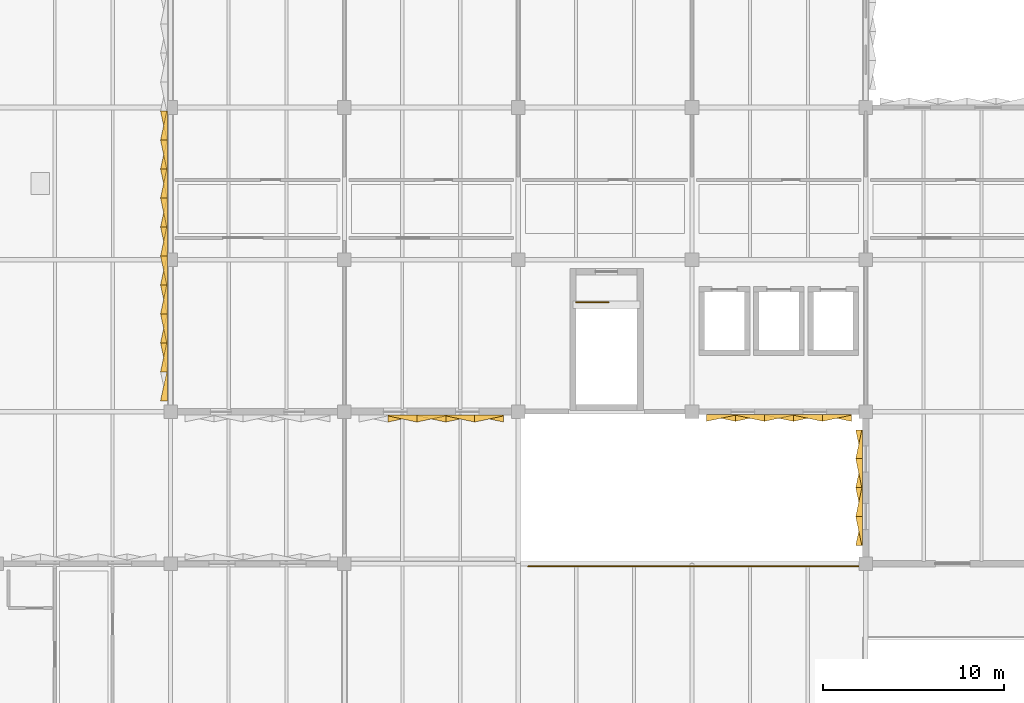
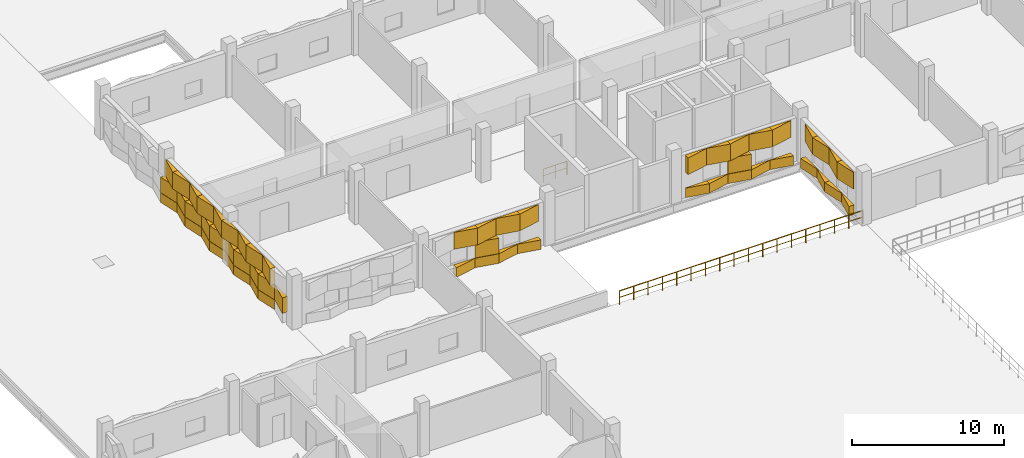
# One storey, part 73 of 86: 56 coverings, 2 railings.
"""IFC4 building model written with IfcOpenShell, lengths in metres."""

from ifc_helpers import new_model, si_unit, direction, frame, origin, origin_2d, place, context, subcontext, project, spatial, polyline, circle, outline, extrude, material, type_object, element, save


model = new_model("IFC4")

# Units and contexts
model_context = context("Model", 3, precision=1e-05, world=origin(), true_north=direction((0.0, 1.0)))
body_context = subcontext(model_context, "Body", "Model", "MODEL_VIEW")
ifc_project = project(units=[si_unit("LENGTHUNIT", "METRE"), si_unit("AREAUNIT", "SQUARE_METRE"), si_unit("VOLUMEUNIT", "CUBIC_METRE"), si_unit("PLANEANGLEUNIT", "RADIAN"), si_unit("MASSUNIT", "GRAM", prefix="KILO")], contexts=[model_context])

# Site, building, storey
site_placement = place(None, origin())
site = spatial("IfcSite", under=ifc_project, at=site_placement, CompositionType="ELEMENT")
building_placement = place(site_placement, origin())
building = spatial("IfcBuilding", under=site, at=building_placement, Name="Oolite Switchyard Hospital", CompositionType="ELEMENT")
storey_placement = place(building_placement, frame((0.0, 0.0, 13.5)))
storey = spatial("IfcBuildingStorey", under=building, at=storey_placement, Name="L03", CompositionType="ELEMENT", Elevation=13.5)

# Coverings
ifc_material_1 = material(Name="Precast oolitic limestone architectural concrete C40/50", Category="masonry")
covering_type = type_object("IfcCoveringType", Name="COV-CHEV-WARM", PredefinedType="CLADDING", material=ifc_material_1)
covering_1_placement = place(storey_placement, frame((37.60009765625, 92.2099609375, 0.050048828125), z_axis=(0.0, 0.0, 1.0), x_axis=(-1.0, 0.0, 0.0)))
element("IfcCovering", 1, at=covering_1_placement, inside=storey, type_object=covering_type, Name="L03 Chevron Precast Oolite Panel 111", PredefinedType="CLADDING", context=body_context, shape_type="SweptSolid", body=[
    extrude(outline(polyline([(0.0, 0.0), (1.60009765625, 0.0), (1.60009765625, 0.044921875), (0.0, 0.385009765625), (0.0, 0.0)])), origin(), (0.0, 0.0, 1.0), 0.760009765625),
])
covering_2_placement = place(storey_placement, frame((37.60009765625, 92.2099609375, 2.090087890625), z_axis=(0.0, 0.0, 1.0), x_axis=(-1.0, 0.0, 0.0)))
element("IfcCovering", 2, at=covering_2_placement, inside=storey, type_object=covering_type, Name="L03 Chevron Precast Oolite Panel 112", PredefinedType="CLADDING", context=body_context, shape_type="SweptSolid", body=[
    extrude(outline(polyline([(0.0, 0.0), (1.60009765625, 0.0), (1.60009765625, 0.385009765625), (0.0, 0.044921875), (0.0, 0.0)])), origin(), (0.0, 0.0, 1.0), 1.349853515625),
])
covering_3_placement = place(storey_placement, frame((36.0, 92.2099609375, 0.050048828125), z_axis=(0.0, 0.0, 1.0), x_axis=(-1.0, 0.0, 0.0)))
element("IfcCovering", 3, at=covering_3_placement, inside=storey, type_object=covering_type, Name="L03 Chevron Precast Oolite Panel 113", PredefinedType="CLADDING", context=body_context, shape_type="SweptSolid", body=[
    extrude(outline(polyline([(0.0, 0.0), (1.60009765625, 0.0), (1.60009765625, 0.385009765625), (0.0, 0.044921875), (0.0, 0.0)])), origin(), (0.0, 0.0, 1.0), 0.760009765625),
])
covering_4_placement = place(storey_placement, frame((36.0, 92.2099609375, 2.090087890625), z_axis=(0.0, 0.0, 1.0), x_axis=(-1.0, 0.0, 0.0)))
element("IfcCovering", 4, at=covering_4_placement, inside=storey, type_object=covering_type, Name="L03 Chevron Precast Oolite Panel 114", PredefinedType="CLADDING", context=body_context, shape_type="SweptSolid", body=[
    extrude(outline(polyline([(0.0, 0.0), (1.60009765625, 0.0), (1.60009765625, 0.044921875), (0.0, 0.385009765625), (0.0, 0.0)])), origin(), (0.0, 0.0, 1.0), 1.349853515625),
])
covering_5_placement = place(storey_placement, frame((34.39990234375, 92.2099609375, 0.050048828125), z_axis=(0.0, 0.0, 1.0), x_axis=(-1.0, 0.0, 0.0)))
element("IfcCovering", 5, at=covering_5_placement, inside=storey, type_object=covering_type, Name="L03 Chevron Precast Oolite Panel 115", PredefinedType="CLADDING", context=body_context, shape_type="SweptSolid", body=[
    extrude(outline(polyline([(0.0, 0.0), (1.599853515625, 0.0), (1.599853515625, 0.044921875), (0.0, 0.385009765625), (0.0, 0.0)])), origin(), (0.0, 0.0, 1.0), 0.760009765625),
])
covering_6_placement = place(storey_placement, frame((34.39990234375, 92.2099609375, 2.090087890625), z_axis=(0.0, 0.0, 1.0), x_axis=(-1.0, 0.0, 0.0)))
element("IfcCovering", 6, at=covering_6_placement, inside=storey, type_object=covering_type, Name="L03 Chevron Precast Oolite Panel 116", PredefinedType="CLADDING", context=body_context, shape_type="SweptSolid", body=[
    extrude(outline(polyline([(0.0, 0.0), (1.599853515625, 0.0), (1.599853515625, 0.385009765625), (0.0, 0.044921875), (0.0, 0.0)])), origin(), (0.0, 0.0, 1.0), 1.349853515625),
])
covering_7_placement = place(storey_placement, frame((34.39990234375, 92.2099609375, 0.830078125), z_axis=(0.0, 0.0, 1.0), x_axis=(-1.0, 0.0, 0.0)))
element("IfcCovering", 7, at=covering_7_placement, inside=storey, type_object=covering_type, Name="L03 Chevron Precast Oolite Panel 117", PredefinedType="CLADDING", context=body_context, shape_type="SweptSolid", body=[
    extrude(outline(polyline([(0.0, 0.0), (1.599853515625, 0.0), (1.599853515625, 0.044921875), (0.0, 0.385009765625), (0.0, 0.0)])), origin(), (0.0, 0.0, 1.0), 1.239990234375),
])
covering_8_placement = place(storey_placement, frame((32.800048828125, 92.2099609375, 0.050048828125), z_axis=(0.0, 0.0, 1.0), x_axis=(-1.0, 0.0, 0.0)))
element("IfcCovering", 8, at=covering_8_placement, inside=storey, type_object=covering_type, Name="L03 Chevron Precast Oolite Panel 118", PredefinedType="CLADDING", context=body_context, shape_type="SweptSolid", body=[
    extrude(outline(polyline([(0.0, 0.0), (1.60009765625, 0.0), (1.60009765625, 0.385009765625), (0.0, 0.044921875), (0.0, 0.0)])), origin(), (0.0, 0.0, 1.0), 0.760009765625),
])
covering_9_placement = place(storey_placement, frame((32.800048828125, 92.2099609375, 2.090087890625), z_axis=(0.0, 0.0, 1.0), x_axis=(-1.0, 0.0, 0.0)))
element("IfcCovering", 9, at=covering_9_placement, inside=storey, type_object=covering_type, Name="L03 Chevron Precast Oolite Panel 119", PredefinedType="CLADDING", context=body_context, shape_type="SweptSolid", body=[
    extrude(outline(polyline([(0.0, 0.0), (1.60009765625, 0.0), (1.60009765625, 0.044921875), (0.0, 0.385009765625), (0.0, 0.0)])), origin(), (0.0, 0.0, 1.0), 1.349853515625),
])
covering_10_placement = place(storey_placement, frame((56.800048828125, 92.25, 0.050048828125), z_axis=(0.0, 0.0, 1.0), x_axis=(-1.0, 0.0, 0.0)))
element("IfcCovering", 10, at=covering_10_placement, inside=storey, type_object=covering_type, Name="L03 Chevron Precast Oolite Panel 122", PredefinedType="CLADDING", context=body_context, shape_type="SweptSolid", body=[
    extrude(outline(polyline([(0.0, 0.0), (1.60009765625, 0.0), (1.60009765625, 0.044921875), (0.0, 0.385009765625), (0.0, 0.0)])), origin(), (0.0, 0.0, 1.0), 0.760009765625),
])
covering_11_placement = place(storey_placement, frame((56.800048828125, 92.25, 2.090087890625), z_axis=(0.0, 0.0, 1.0), x_axis=(-1.0, 0.0, 0.0)))
element("IfcCovering", 11, at=covering_11_placement, inside=storey, type_object=covering_type, Name="L03 Chevron Precast Oolite Panel 123", PredefinedType="CLADDING", context=body_context, shape_type="SweptSolid", body=[
    extrude(outline(polyline([(0.0, 0.0), (1.60009765625, 0.0), (1.60009765625, 0.385009765625), (0.0, 0.044921875), (0.0, 0.0)])), origin(), (0.0, 0.0, 1.0), 1.349853515625),
])
covering_12_placement = place(storey_placement, frame((55.199951171875, 92.25, 0.050048828125), z_axis=(0.0, 0.0, 1.0), x_axis=(-1.0, 0.0, 0.0)))
element("IfcCovering", 12, at=covering_12_placement, inside=storey, type_object=covering_type, Name="L03 Chevron Precast Oolite Panel 124", PredefinedType="CLADDING", context=body_context, shape_type="SweptSolid", body=[
    extrude(outline(polyline([(0.0, 0.0), (1.599853515625, 0.0), (1.599853515625, 0.385009765625), (0.0, 0.044921875), (0.0, 0.0)])), origin(), (0.0, 0.0, 1.0), 0.760009765625),
])
covering_13_placement = place(storey_placement, frame((55.199951171875, 92.25, 2.090087890625), z_axis=(0.0, 0.0, 1.0), x_axis=(-1.0, 0.0, 0.0)))
element("IfcCovering", 13, at=covering_13_placement, inside=storey, type_object=covering_type, Name="L03 Chevron Precast Oolite Panel 125", PredefinedType="CLADDING", context=body_context, shape_type="SweptSolid", body=[
    extrude(outline(polyline([(0.0, 0.0), (1.599853515625, 0.0), (1.599853515625, 0.044921875), (0.0, 0.385009765625), (0.0, 0.0)])), origin(), (0.0, 0.0, 1.0), 1.349853515625),
])
covering_14_placement = place(storey_placement, frame((53.60009765625, 92.25, 0.050048828125), z_axis=(0.0, 0.0, 1.0), x_axis=(-1.0, 0.0, 0.0)))
element("IfcCovering", 14, at=covering_14_placement, inside=storey, type_object=covering_type, Name="L03 Chevron Precast Oolite Panel 126", PredefinedType="CLADDING", context=body_context, shape_type="SweptSolid", body=[
    extrude(outline(polyline([(0.0, 0.0), (1.60009765625, 0.0), (1.60009765625, 0.044921875), (0.0, 0.385009765625), (0.0, 0.0)])), origin(), (0.0, 0.0, 1.0), 0.760009765625),
])
covering_15_placement = place(storey_placement, frame((53.60009765625, 92.25, 2.090087890625), z_axis=(0.0, 0.0, 1.0), x_axis=(-1.0, 0.0, 0.0)))
element("IfcCovering", 15, at=covering_15_placement, inside=storey, type_object=covering_type, Name="L03 Chevron Precast Oolite Panel 127", PredefinedType="CLADDING", context=body_context, shape_type="SweptSolid", body=[
    extrude(outline(polyline([(0.0, 0.0), (1.60009765625, 0.0), (1.60009765625, 0.385009765625), (0.0, 0.044921875), (0.0, 0.0)])), origin(), (0.0, 0.0, 1.0), 1.349853515625),
])
covering_16_placement = place(storey_placement, frame((53.60009765625, 92.25, 0.830078125), z_axis=(0.0, 0.0, 1.0), x_axis=(-1.0, 0.0, 0.0)))
element("IfcCovering", 16, at=covering_16_placement, inside=storey, type_object=covering_type, Name="L03 Chevron Precast Oolite Panel 128", PredefinedType="CLADDING", context=body_context, shape_type="SweptSolid", body=[
    extrude(outline(polyline([(0.0, 0.0), (1.60009765625, 0.0), (1.60009765625, 0.044921875), (0.0, 0.385009765625), (0.0, 0.0)])), origin(), (0.0, 0.0, 1.0), 1.239990234375),
])
covering_17_placement = place(storey_placement, frame((52.0, 92.25, 0.050048828125), z_axis=(0.0, 0.0, 1.0), x_axis=(-1.0, 0.0, 0.0)))
element("IfcCovering", 17, at=covering_17_placement, inside=storey, type_object=covering_type, Name="L03 Chevron Precast Oolite Panel 129", PredefinedType="CLADDING", context=body_context, shape_type="SweptSolid", body=[
    extrude(outline(polyline([(0.0, 0.0), (1.60009765625, 0.0), (1.60009765625, 0.385009765625), (0.0, 0.044921875), (0.0, 0.0)])), origin(), (0.0, 0.0, 1.0), 0.760009765625),
])
covering_18_placement = place(storey_placement, frame((52.0, 92.25, 2.090087890625), z_axis=(0.0, 0.0, 1.0), x_axis=(-1.0, 0.0, 0.0)))
element("IfcCovering", 18, at=covering_18_placement, inside=storey, type_object=covering_type, Name="L03 Chevron Precast Oolite Panel 130", PredefinedType="CLADDING", context=body_context, shape_type="SweptSolid", body=[
    extrude(outline(polyline([(0.0, 0.0), (1.60009765625, 0.0), (1.60009765625, 0.044921875), (0.0, 0.385009765625), (0.0, 0.0)])), origin(), (0.0, 0.0, 1.0), 1.349853515625),
])
covering_19_placement = place(storey_placement, frame((50.39990234375, 92.25, 0.050048828125), z_axis=(0.0, 0.0, 1.0), x_axis=(-1.0, 0.0, 0.0)))
element("IfcCovering", 19, at=covering_19_placement, inside=storey, type_object=covering_type, Name="L03 Chevron Precast Oolite Panel 131", PredefinedType="CLADDING", context=body_context, shape_type="SweptSolid", body=[
    extrude(outline(polyline([(0.0, 0.0), (1.599853515625, 0.0), (1.599853515625, 0.044921875), (0.0, 0.385009765625), (0.0, 0.0)])), origin(), (0.0, 0.0, 1.0), 0.760009765625),
])
covering_20_placement = place(storey_placement, frame((50.39990234375, 92.25, 2.090087890625), z_axis=(0.0, 0.0, 1.0), x_axis=(-1.0, 0.0, 0.0)))
element("IfcCovering", 20, at=covering_20_placement, inside=storey, type_object=covering_type, Name="L03 Chevron Precast Oolite Panel 132", PredefinedType="CLADDING", context=body_context, shape_type="SweptSolid", body=[
    extrude(outline(polyline([(0.0, 0.0), (1.599853515625, 0.0), (1.599853515625, 0.385009765625), (0.0, 0.044921875), (0.0, 0.0)])), origin(), (0.0, 0.0, 1.0), 1.349853515625),
])
covering_21_placement = place(storey_placement, frame((19.030029296875, 93.0, 0.830078125), z_axis=(0.0, 0.0, 1.0), x_axis=(0.0, 1.0, 0.0)))
element("IfcCovering", 21, at=covering_21_placement, inside=storey, type_object=covering_type, Name="L03 Chevron Precast Oolite Panel 370", PredefinedType="CLADDING", context=body_context, shape_type="SweptSolid", body=[
    extrude(outline(polyline([(0.0, 0.0), (1.60009765625, 0.0), (1.60009765625, 0.044921875), (0.0, 0.385009765625), (0.0, 0.0)])), origin(), (0.0, 0.0, 1.0), 1.239990234375),
])
covering_22_placement = place(storey_placement, frame((19.030029296875, 94.60009765625, 0.050048828125), z_axis=(0.0, 0.0, 1.0), x_axis=(0.0, 1.0, 0.0)))
element("IfcCovering", 22, at=covering_22_placement, inside=storey, type_object=covering_type, Name="L03 Chevron Precast Oolite Panel 371", PredefinedType="CLADDING", context=body_context, shape_type="SweptSolid", body=[
    extrude(outline(polyline([(0.0, 0.0), (1.599853515625, 0.0), (1.599853515625, 0.385009765625), (0.0, 0.044921875), (0.0, 0.0)])), origin(), (0.0, 0.0, 1.0), 0.760009765625),
])
covering_23_placement = place(storey_placement, frame((19.030029296875, 94.60009765625, 2.090087890625), z_axis=(0.0, 0.0, 1.0), x_axis=(0.0, 1.0, 0.0)))
element("IfcCovering", 23, at=covering_23_placement, inside=storey, type_object=covering_type, Name="L03 Chevron Precast Oolite Panel 372", PredefinedType="CLADDING", context=body_context, shape_type="SweptSolid", body=[
    extrude(outline(polyline([(0.0, 0.0), (1.599853515625, 0.0), (1.599853515625, 0.044921875), (0.0, 0.385009765625), (0.0, 0.0)])), origin(), (0.0, 0.0, 1.0), 1.349853515625),
])
covering_24_placement = place(storey_placement, frame((19.030029296875, 94.60009765625, 0.830078125), z_axis=(0.0, 0.0, 1.0), x_axis=(0.0, 1.0, 0.0)))
element("IfcCovering", 24, at=covering_24_placement, inside=storey, type_object=covering_type, Name="L03 Chevron Precast Oolite Panel 373", PredefinedType="CLADDING", context=body_context, shape_type="SweptSolid", body=[
    extrude(outline(polyline([(0.0, 0.0), (1.599853515625, 0.0), (1.599853515625, 0.385009765625), (0.0, 0.044921875), (0.0, 0.0)])), origin(), (0.0, 0.0, 1.0), 1.239990234375),
])
covering_25_placement = place(storey_placement, frame((19.030029296875, 96.199951171875, 0.050048828125), z_axis=(0.0, 0.0, 1.0), x_axis=(0.0, 1.0, 0.0)))
element("IfcCovering", 25, at=covering_25_placement, inside=storey, type_object=covering_type, Name="L03 Chevron Precast Oolite Panel 374", PredefinedType="CLADDING", context=body_context, shape_type="SweptSolid", body=[
    extrude(outline(polyline([(0.0, 0.0), (1.60009765625, 0.0), (1.60009765625, 0.044921875), (0.0, 0.385009765625), (0.0, 0.0)])), origin(), (0.0, 0.0, 1.0), 0.760009765625),
])
covering_26_placement = place(storey_placement, frame((19.030029296875, 96.199951171875, 2.090087890625), z_axis=(0.0, 0.0, 1.0), x_axis=(0.0, 1.0, 0.0)))
element("IfcCovering", 26, at=covering_26_placement, inside=storey, type_object=covering_type, Name="L03 Chevron Precast Oolite Panel 375", PredefinedType="CLADDING", context=body_context, shape_type="SweptSolid", body=[
    extrude(outline(polyline([(0.0, 0.0), (1.60009765625, 0.0), (1.60009765625, 0.385009765625), (0.0, 0.044921875), (0.0, 0.0)])), origin(), (0.0, 0.0, 1.0), 1.349853515625),
])
covering_27_placement = place(storey_placement, frame((19.030029296875, 96.199951171875, 0.830078125), z_axis=(0.0, 0.0, 1.0), x_axis=(0.0, 1.0, 0.0)))
element("IfcCovering", 27, at=covering_27_placement, inside=storey, type_object=covering_type, Name="L03 Chevron Precast Oolite Panel 376", PredefinedType="CLADDING", context=body_context, shape_type="SweptSolid", body=[
    extrude(outline(polyline([(0.0, 0.0), (1.60009765625, 0.0), (1.60009765625, 0.044921875), (0.0, 0.385009765625), (0.0, 0.0)])), origin(), (0.0, 0.0, 1.0), 1.239990234375),
])
covering_28_placement = place(storey_placement, frame((19.030029296875, 97.800048828125, 0.050048828125), z_axis=(0.0, 0.0, 1.0), x_axis=(0.0, 1.0, 0.0)))
element("IfcCovering", 28, at=covering_28_placement, inside=storey, type_object=covering_type, Name="L03 Chevron Precast Oolite Panel 377", PredefinedType="CLADDING", context=body_context, shape_type="SweptSolid", body=[
    extrude(outline(polyline([(0.0, 0.0), (1.599853515625, 0.0), (1.599853515625, 0.385009765625), (0.0, 0.044921875), (0.0, 0.0)])), origin(), (0.0, 0.0, 1.0), 0.760009765625),
])
covering_29_placement = place(storey_placement, frame((19.030029296875, 97.800048828125, 2.090087890625), z_axis=(0.0, 0.0, 1.0), x_axis=(0.0, 1.0, 0.0)))
element("IfcCovering", 29, at=covering_29_placement, inside=storey, type_object=covering_type, Name="L03 Chevron Precast Oolite Panel 378", PredefinedType="CLADDING", context=body_context, shape_type="SweptSolid", body=[
    extrude(outline(polyline([(0.0, 0.0), (1.599853515625, 0.0), (1.599853515625, 0.044921875), (0.0, 0.385009765625), (0.0, 0.0)])), origin(), (0.0, 0.0, 1.0), 1.349853515625),
])
covering_30_placement = place(storey_placement, frame((19.030029296875, 97.800048828125, 0.830078125), z_axis=(0.0, 0.0, 1.0), x_axis=(0.0, 1.0, 0.0)))
element("IfcCovering", 30, at=covering_30_placement, inside=storey, type_object=covering_type, Name="L03 Chevron Precast Oolite Panel 379", PredefinedType="CLADDING", context=body_context, shape_type="SweptSolid", body=[
    extrude(outline(polyline([(0.0, 0.0), (1.599853515625, 0.0), (1.599853515625, 0.385009765625), (0.0, 0.044921875), (0.0, 0.0)])), origin(), (0.0, 0.0, 1.0), 1.239990234375),
])
covering_31_placement = place(storey_placement, frame((19.030029296875, 99.39990234375, 0.050048828125), z_axis=(0.0, 0.0, 1.0), x_axis=(0.0, 1.0, 0.0)))
element("IfcCovering", 31, at=covering_31_placement, inside=storey, type_object=covering_type, Name="L03 Chevron Precast Oolite Panel 380", PredefinedType="CLADDING", context=body_context, shape_type="SweptSolid", body=[
    extrude(outline(polyline([(0.0, 0.0), (1.60009765625, 0.0), (1.60009765625, 0.044921875), (0.0, 0.385009765625), (0.0, 0.0)])), origin(), (0.0, 0.0, 1.0), 0.760009765625),
])
covering_32_placement = place(storey_placement, frame((19.030029296875, 99.39990234375, 2.090087890625), z_axis=(0.0, 0.0, 1.0), x_axis=(0.0, 1.0, 0.0)))
element("IfcCovering", 32, at=covering_32_placement, inside=storey, type_object=covering_type, Name="L03 Chevron Precast Oolite Panel 381", PredefinedType="CLADDING", context=body_context, shape_type="SweptSolid", body=[
    extrude(outline(polyline([(0.0, 0.0), (1.60009765625, 0.0), (1.60009765625, 0.385009765625), (0.0, 0.044921875), (0.0, 0.0)])), origin(), (0.0, 0.0, 1.0), 1.349853515625),
])
covering_33_placement = place(storey_placement, frame((19.030029296875, 99.39990234375, 0.830078125), z_axis=(0.0, 0.0, 1.0), x_axis=(0.0, 1.0, 0.0)))
element("IfcCovering", 33, at=covering_33_placement, inside=storey, type_object=covering_type, Name="L03 Chevron Precast Oolite Panel 382", PredefinedType="CLADDING", context=body_context, shape_type="SweptSolid", body=[
    extrude(outline(polyline([(0.0, 0.0), (1.60009765625, 0.0), (1.60009765625, 0.044921875), (0.0, 0.385009765625), (0.0, 0.0)])), origin(), (0.0, 0.0, 1.0), 1.239990234375),
])
covering_34_placement = place(storey_placement, frame((19.030029296875, 101.0, 0.050048828125), z_axis=(0.0, 0.0, 1.0), x_axis=(0.0, 1.0, 0.0)))
element("IfcCovering", 34, at=covering_34_placement, inside=storey, type_object=covering_type, Name="L03 Chevron Precast Oolite Panel 383", PredefinedType="CLADDING", context=body_context, shape_type="SweptSolid", body=[
    extrude(outline(polyline([(0.0, 0.0), (1.60009765625, 0.0), (1.60009765625, 0.385009765625), (0.0, 0.044921875), (0.0, 0.0)])), origin(), (0.0, 0.0, 1.0), 0.760009765625),
])
covering_35_placement = place(storey_placement, frame((19.030029296875, 101.0, 2.090087890625), z_axis=(0.0, 0.0, 1.0), x_axis=(0.0, 1.0, 0.0)))
element("IfcCovering", 35, at=covering_35_placement, inside=storey, type_object=covering_type, Name="L03 Chevron Precast Oolite Panel 384", PredefinedType="CLADDING", context=body_context, shape_type="SweptSolid", body=[
    extrude(outline(polyline([(0.0, 0.0), (1.60009765625, 0.0), (1.60009765625, 0.044921875), (0.0, 0.385009765625), (0.0, 0.0)])), origin(), (0.0, 0.0, 1.0), 1.349853515625),
])
covering_36_placement = place(storey_placement, frame((19.030029296875, 101.0, 0.830078125), z_axis=(0.0, 0.0, 1.0), x_axis=(0.0, 1.0, 0.0)))
element("IfcCovering", 36, at=covering_36_placement, inside=storey, type_object=covering_type, Name="L03 Chevron Precast Oolite Panel 385", PredefinedType="CLADDING", context=body_context, shape_type="SweptSolid", body=[
    extrude(outline(polyline([(0.0, 0.0), (1.60009765625, 0.0), (1.60009765625, 0.385009765625), (0.0, 0.044921875), (0.0, 0.0)])), origin(), (0.0, 0.0, 1.0), 1.239990234375),
])
covering_37_placement = place(storey_placement, frame((19.030029296875, 102.60009765625, 0.050048828125), z_axis=(0.0, 0.0, 1.0), x_axis=(0.0, 1.0, 0.0)))
element("IfcCovering", 37, at=covering_37_placement, inside=storey, type_object=covering_type, Name="L03 Chevron Precast Oolite Panel 386", PredefinedType="CLADDING", context=body_context, shape_type="SweptSolid", body=[
    extrude(outline(polyline([(0.0, 0.0), (1.599853515625, 0.0), (1.599853515625, 0.044921875), (0.0, 0.385009765625), (0.0, 0.0)])), origin(), (0.0, 0.0, 1.0), 0.760009765625),
])
covering_38_placement = place(storey_placement, frame((19.030029296875, 102.60009765625, 2.090087890625), z_axis=(0.0, 0.0, 1.0), x_axis=(0.0, 1.0, 0.0)))
element("IfcCovering", 38, at=covering_38_placement, inside=storey, type_object=covering_type, Name="L03 Chevron Precast Oolite Panel 387", PredefinedType="CLADDING", context=body_context, shape_type="SweptSolid", body=[
    extrude(outline(polyline([(0.0, 0.0), (1.599853515625, 0.0), (1.599853515625, 0.385009765625), (0.0, 0.044921875), (0.0, 0.0)])), origin(), (0.0, 0.0, 1.0), 1.349853515625),
])
covering_39_placement = place(storey_placement, frame((19.030029296875, 102.60009765625, 0.830078125), z_axis=(0.0, 0.0, 1.0), x_axis=(0.0, 1.0, 0.0)))
element("IfcCovering", 39, at=covering_39_placement, inside=storey, type_object=covering_type, Name="L03 Chevron Precast Oolite Panel 388", PredefinedType="CLADDING", context=body_context, shape_type="SweptSolid", body=[
    extrude(outline(polyline([(0.0, 0.0), (1.599853515625, 0.0), (1.599853515625, 0.044921875), (0.0, 0.385009765625), (0.0, 0.0)])), origin(), (0.0, 0.0, 1.0), 1.239990234375),
])
covering_40_placement = place(storey_placement, frame((19.030029296875, 104.199951171875, 0.050048828125), z_axis=(0.0, 0.0, 1.0), x_axis=(0.0, 1.0, 0.0)))
element("IfcCovering", 40, at=covering_40_placement, inside=storey, type_object=covering_type, Name="L03 Chevron Precast Oolite Panel 389", PredefinedType="CLADDING", context=body_context, shape_type="SweptSolid", body=[
    extrude(outline(polyline([(0.0, 0.0), (1.60009765625, 0.0), (1.60009765625, 0.385009765625), (0.0, 0.044921875), (0.0, 0.0)])), origin(), (0.0, 0.0, 1.0), 0.760009765625),
])
covering_41_placement = place(storey_placement, frame((19.030029296875, 104.199951171875, 2.090087890625), z_axis=(0.0, 0.0, 1.0), x_axis=(0.0, 1.0, 0.0)))
element("IfcCovering", 41, at=covering_41_placement, inside=storey, type_object=covering_type, Name="L03 Chevron Precast Oolite Panel 390", PredefinedType="CLADDING", context=body_context, shape_type="SweptSolid", body=[
    extrude(outline(polyline([(0.0, 0.0), (1.60009765625, 0.0), (1.60009765625, 0.044921875), (0.0, 0.385009765625), (0.0, 0.0)])), origin(), (0.0, 0.0, 1.0), 1.349853515625),
])
covering_42_placement = place(storey_placement, frame((19.030029296875, 104.199951171875, 0.830078125), z_axis=(0.0, 0.0, 1.0), x_axis=(0.0, 1.0, 0.0)))
element("IfcCovering", 42, at=covering_42_placement, inside=storey, type_object=covering_type, Name="L03 Chevron Precast Oolite Panel 391", PredefinedType="CLADDING", context=body_context, shape_type="SweptSolid", body=[
    extrude(outline(polyline([(0.0, 0.0), (1.60009765625, 0.0), (1.60009765625, 0.385009765625), (0.0, 0.044921875), (0.0, 0.0)])), origin(), (0.0, 0.0, 1.0), 1.239990234375),
])
covering_43_placement = place(storey_placement, frame((19.030029296875, 105.800048828125, 0.050048828125), z_axis=(0.0, 0.0, 1.0), x_axis=(0.0, 1.0, 0.0)))
element("IfcCovering", 43, at=covering_43_placement, inside=storey, type_object=covering_type, Name="L03 Chevron Precast Oolite Panel 392", PredefinedType="CLADDING", context=body_context, shape_type="SweptSolid", body=[
    extrude(outline(polyline([(0.0, 0.0), (1.599853515625, 0.0), (1.599853515625, 0.044921875), (0.0, 0.385009765625), (0.0, 0.0)])), origin(), (0.0, 0.0, 1.0), 0.760009765625),
])
covering_44_placement = place(storey_placement, frame((19.030029296875, 105.800048828125, 2.090087890625), z_axis=(0.0, 0.0, 1.0), x_axis=(0.0, 1.0, 0.0)))
element("IfcCovering", 44, at=covering_44_placement, inside=storey, type_object=covering_type, Name="L03 Chevron Precast Oolite Panel 393", PredefinedType="CLADDING", context=body_context, shape_type="SweptSolid", body=[
    extrude(outline(polyline([(0.0, 0.0), (1.599853515625, 0.0), (1.599853515625, 0.385009765625), (0.0, 0.044921875), (0.0, 0.0)])), origin(), (0.0, 0.0, 1.0), 1.349853515625),
])
covering_45_placement = place(storey_placement, frame((19.030029296875, 105.800048828125, 0.830078125), z_axis=(0.0, 0.0, 1.0), x_axis=(0.0, 1.0, 0.0)))
element("IfcCovering", 45, at=covering_45_placement, inside=storey, type_object=covering_type, Name="L03 Chevron Precast Oolite Panel 394", PredefinedType="CLADDING", context=body_context, shape_type="SweptSolid", body=[
    extrude(outline(polyline([(0.0, 0.0), (1.599853515625, 0.0), (1.599853515625, 0.044921875), (0.0, 0.385009765625), (0.0, 0.0)])), origin(), (0.0, 0.0, 1.0), 1.239990234375),
])
covering_46_placement = place(storey_placement, frame((19.030029296875, 107.39990234375, 0.050048828125), z_axis=(0.0, 0.0, 1.0), x_axis=(0.0, 1.0, 0.0)))
element("IfcCovering", 46, at=covering_46_placement, inside=storey, type_object=covering_type, Name="L03 Chevron Precast Oolite Panel 395", PredefinedType="CLADDING", context=body_context, shape_type="SweptSolid", body=[
    extrude(outline(polyline([(0.0, 0.0), (1.60009765625, 0.0), (1.60009765625, 0.385009765625), (0.0, 0.044921875), (0.0, 0.0)])), origin(), (0.0, 0.0, 1.0), 0.760009765625),
])
covering_47_placement = place(storey_placement, frame((19.030029296875, 107.39990234375, 2.090087890625), z_axis=(0.0, 0.0, 1.0), x_axis=(0.0, 1.0, 0.0)))
element("IfcCovering", 47, at=covering_47_placement, inside=storey, type_object=covering_type, Name="L03 Chevron Precast Oolite Panel 396", PredefinedType="CLADDING", context=body_context, shape_type="SweptSolid", body=[
    extrude(outline(polyline([(0.0, 0.0), (1.60009765625, 0.0), (1.60009765625, 0.044921875), (0.0, 0.385009765625), (0.0, 0.0)])), origin(), (0.0, 0.0, 1.0), 1.349853515625),
])
covering_48_placement = place(storey_placement, frame((19.030029296875, 107.39990234375, 0.830078125), z_axis=(0.0, 0.0, 1.0), x_axis=(0.0, 1.0, 0.0)))
element("IfcCovering", 48, at=covering_48_placement, inside=storey, type_object=covering_type, Name="L03 Chevron Precast Oolite Panel 397", PredefinedType="CLADDING", context=body_context, shape_type="SweptSolid", body=[
    extrude(outline(polyline([(0.0, 0.0), (1.60009765625, 0.0), (1.60009765625, 0.385009765625), (0.0, 0.044921875), (0.0, 0.0)])), origin(), (0.0, 0.0, 1.0), 1.239990234375),
])
covering_49_placement = place(storey_placement, frame((57.429931640625, 85.0, 0.050048828125), z_axis=(0.0, 0.0, 1.0), x_axis=(0.0, 1.0, 0.0)))
element("IfcCovering", 49, at=covering_49_placement, inside=storey, type_object=covering_type, Name="L03 Chevron Precast Oolite Panel 413", PredefinedType="CLADDING", context=body_context, shape_type="SweptSolid", body=[
    extrude(outline(polyline([(0.0, 0.0), (1.60009765625, 0.0), (1.60009765625, 0.044921875), (0.0, 0.385009765625), (0.0, 0.0)])), origin(), (0.0, 0.0, 1.0), 0.760009765625),
])
covering_50_placement = place(storey_placement, frame((57.429931640625, 85.0, 2.090087890625), z_axis=(0.0, 0.0, 1.0), x_axis=(0.0, 1.0, 0.0)))
element("IfcCovering", 50, at=covering_50_placement, inside=storey, type_object=covering_type, Name="L03 Chevron Precast Oolite Panel 414", PredefinedType="CLADDING", context=body_context, shape_type="SweptSolid", body=[
    extrude(outline(polyline([(0.0, 0.0), (1.60009765625, 0.0), (1.60009765625, 0.385009765625), (0.0, 0.044921875), (0.0, 0.0)])), origin(), (0.0, 0.0, 1.0), 1.349853515625),
])
covering_51_placement = place(storey_placement, frame((57.429931640625, 86.60009765625, 0.050048828125), z_axis=(0.0, 0.0, 1.0), x_axis=(0.0, 1.0, 0.0)))
element("IfcCovering", 51, at=covering_51_placement, inside=storey, type_object=covering_type, Name="L03 Chevron Precast Oolite Panel 415", PredefinedType="CLADDING", context=body_context, shape_type="SweptSolid", body=[
    extrude(outline(polyline([(0.0, 0.0), (1.599853515625, 0.0), (1.599853515625, 0.385009765625), (0.0, 0.044921875), (0.0, 0.0)])), origin(), (0.0, 0.0, 1.0), 0.760009765625),
])
covering_52_placement = place(storey_placement, frame((57.429931640625, 86.60009765625, 2.090087890625), z_axis=(0.0, 0.0, 1.0), x_axis=(0.0, 1.0, 0.0)))
element("IfcCovering", 52, at=covering_52_placement, inside=storey, type_object=covering_type, Name="L03 Chevron Precast Oolite Panel 416", PredefinedType="CLADDING", context=body_context, shape_type="SweptSolid", body=[
    extrude(outline(polyline([(0.0, 0.0), (1.599853515625, 0.0), (1.599853515625, 0.044921875), (0.0, 0.385009765625), (0.0, 0.0)])), origin(), (0.0, 0.0, 1.0), 1.349853515625),
])
covering_53_placement = place(storey_placement, frame((57.429931640625, 88.199951171875, 0.050048828125), z_axis=(0.0, 0.0, 1.0), x_axis=(0.0, 1.0, 0.0)))
element("IfcCovering", 53, at=covering_53_placement, inside=storey, type_object=covering_type, Name="L03 Chevron Precast Oolite Panel 417", PredefinedType="CLADDING", context=body_context, shape_type="SweptSolid", body=[
    extrude(outline(polyline([(0.0, 0.0), (1.60009765625, 0.0), (1.60009765625, 0.044921875), (0.0, 0.385009765625), (0.0, 0.0)])), origin(), (0.0, 0.0, 1.0), 0.760009765625),
])
covering_54_placement = place(storey_placement, frame((57.429931640625, 88.199951171875, 2.090087890625), z_axis=(0.0, 0.0, 1.0), x_axis=(0.0, 1.0, 0.0)))
element("IfcCovering", 54, at=covering_54_placement, inside=storey, type_object=covering_type, Name="L03 Chevron Precast Oolite Panel 418", PredefinedType="CLADDING", context=body_context, shape_type="SweptSolid", body=[
    extrude(outline(polyline([(0.0, 0.0), (1.60009765625, 0.0), (1.60009765625, 0.385009765625), (0.0, 0.044921875), (0.0, 0.0)])), origin(), (0.0, 0.0, 1.0), 1.349853515625),
])
covering_55_placement = place(storey_placement, frame((57.429931640625, 89.800048828125, 0.050048828125), z_axis=(0.0, 0.0, 1.0), x_axis=(0.0, 1.0, 0.0)))
element("IfcCovering", 55, at=covering_55_placement, inside=storey, type_object=covering_type, Name="L03 Chevron Precast Oolite Panel 419", PredefinedType="CLADDING", context=body_context, shape_type="SweptSolid", body=[
    extrude(outline(polyline([(0.0, 0.0), (1.599853515625, 0.0), (1.599853515625, 0.385009765625), (0.0, 0.044921875), (0.0, 0.0)])), origin(), (0.0, 0.0, 1.0), 0.760009765625),
])
covering_56_placement = place(storey_placement, frame((57.429931640625, 89.800048828125, 2.090087890625), z_axis=(0.0, 0.0, 1.0), x_axis=(0.0, 1.0, 0.0)))
element("IfcCovering", 56, at=covering_56_placement, inside=storey, type_object=covering_type, Name="L03 Chevron Precast Oolite Panel 420", PredefinedType="CLADDING", context=body_context, shape_type="SweptSolid", body=[
    extrude(outline(polyline([(0.0, 0.0), (1.599853515625, 0.0), (1.599853515625, 0.044921875), (0.0, 0.385009765625), (0.0, 0.0)])), origin(), (0.0, 0.0, 1.0), 1.349853515625),
])

# Railings
ifc_material_2 = material(Name="Galvanized painted architectural steel guardrail", Category="steel")
railing_type_1 = type_object("IfcRailingType", Name="RL-GUARD-110", PredefinedType="GUARDRAIL", material=ifc_material_2)
railing_1_placement = place(storey_placement, frame((38.949951171875, 83.85009765625, 0.0)))
element("IfcRailing", 57, at=railing_1_placement, inside=storey, type_object=railing_type_1, Name="L03 Terrace Perimeter Guard 5", PredefinedType="GUARDRAIL", context=body_context, shape_type="SweptSolid", body=[
    extrude(circle(Radius=0.02392578125, at=origin_2d()), frame((0.0, 0.0, 1.076171875), z_axis=(1.0, 0.0, 0.0), x_axis=(0.0, 1.0, 0.0)), (0.0, 0.0, 1.0), 18.5),
    extrude(circle(Radius=0.015625, at=origin_2d()), frame((0.0, 0.0, 0.550048828125), z_axis=(1.0, 0.0, 0.0), x_axis=(0.0, 1.0, 0.0)), (0.0, 0.0, 1.0), 18.5),
    extrude(circle(Radius=0.02099609375, at=origin_2d()), origin(), (0.0, 0.0, 1.0), 1.052001953125),
    extrude(circle(Radius=0.02099609375, at=origin_2d()), frame((1.088134765625, 0.0, 0.0)), (0.0, 0.0, 1.0), 1.052001953125),
    extrude(circle(Radius=0.02099609375, at=origin_2d()), frame((2.176513671875, 0.0, 0.0)), (0.0, 0.0, 1.0), 1.052001953125),
    extrude(circle(Radius=0.02099609375, at=origin_2d()), frame((3.2646484375, 0.0, 0.0)), (0.0, 0.0, 1.0), 1.052001953125),
    extrude(circle(Radius=0.02099609375, at=origin_2d()), frame((4.35302734375, 0.0, 0.0)), (0.0, 0.0, 1.0), 1.052001953125),
    extrude(circle(Radius=0.02099609375, at=origin_2d()), frame((5.441162109375, 0.0, 0.0)), (0.0, 0.0, 1.0), 1.052001953125),
    extrude(circle(Radius=0.02099609375, at=origin_2d()), frame((6.529296875, 0.0, 0.0)), (0.0, 0.0, 1.0), 1.052001953125),
    extrude(circle(Radius=0.02099609375, at=origin_2d()), frame((7.61767578125, 0.0, 0.0)), (0.0, 0.0, 1.0), 1.052001953125),
    extrude(circle(Radius=0.02099609375, at=origin_2d()), frame((8.705810546875, 0.0, 0.0)), (0.0, 0.0, 1.0), 1.052001953125),
    extrude(circle(Radius=0.02099609375, at=origin_2d()), frame((9.794189453125, 0.0, 0.0)), (0.0, 0.0, 1.0), 1.052001953125),
    extrude(circle(Radius=0.02099609375, at=origin_2d()), frame((10.88232421875, 0.0, 0.0)), (0.0, 0.0, 1.0), 1.052001953125),
    extrude(circle(Radius=0.02099609375, at=origin_2d()), frame((11.970703125, 0.0, 0.0)), (0.0, 0.0, 1.0), 1.052001953125),
    extrude(circle(Radius=0.02099609375, at=origin_2d()), frame((13.058837890625, 0.0, 0.0)), (0.0, 0.0, 1.0), 1.052001953125),
    extrude(circle(Radius=0.02099609375, at=origin_2d()), frame((14.14697265625, 0.0, 0.0)), (0.0, 0.0, 1.0), 1.052001953125),
    extrude(circle(Radius=0.02099609375, at=origin_2d()), frame((15.2353515625, 0.0, 0.0)), (0.0, 0.0, 1.0), 1.052001953125),
    extrude(circle(Radius=0.02099609375, at=origin_2d()), frame((16.323486328125, 0.0, 0.0)), (0.0, 0.0, 1.0), 1.052001953125),
    extrude(circle(Radius=0.02099609375, at=origin_2d()), frame((17.411865234375, 0.0, 0.0)), (0.0, 0.0, 1.0), 1.052001953125),
    extrude(circle(Radius=0.02099609375, at=origin_2d()), frame((18.5, 0.0, 0.0)), (0.0, 0.0, 1.0), 1.052001953125),
])
ifc_material_3 = material(Name="Galvanized painted architectural steel handrail", Category="steel")
railing_type_2 = type_object("IfcRailingType", Name="RL-STAIR-GRD", PredefinedType="GUARDRAIL", material=ifc_material_3)
railing_2_placement = place(storey_placement, frame((41.60009765625, 98.43994140625, 0.0)))
element("IfcRailing", 58, at=railing_2_placement, inside=storey, type_object=railing_type_2, Name="L03 ST-07 top well guard 1", PredefinedType="GUARDRAIL", context=body_context, shape_type="SweptSolid", body=[
    extrude(circle(Radius=0.02392578125, at=origin_2d()), frame((0.0, 0.0, 1.076171875), z_axis=(1.0, 0.0, 0.0), x_axis=(0.0, 1.0, 0.0)), (0.0, 0.0, 1.0), 1.7998046875),
    extrude(circle(Radius=0.015625, at=origin_2d()), frame((0.0, 0.0, 0.550048828125), z_axis=(1.0, 0.0, 0.0), x_axis=(0.0, 1.0, 0.0)), (0.0, 0.0, 1.0), 1.7998046875),
    extrude(circle(Radius=0.02099609375, at=origin_2d()), origin(), (0.0, 0.0, 1.0), 1.052001953125),
    extrude(circle(Radius=0.02099609375, at=origin_2d()), frame((0.89990234375, 0.0, 0.0)), (0.0, 0.0, 1.0), 1.052001953125),
    extrude(circle(Radius=0.02099609375, at=origin_2d()), frame((1.7998046875, 0.0, 0.0)), (0.0, 0.0, 1.0), 1.052001953125),
])

save(model, "model.ifc")
